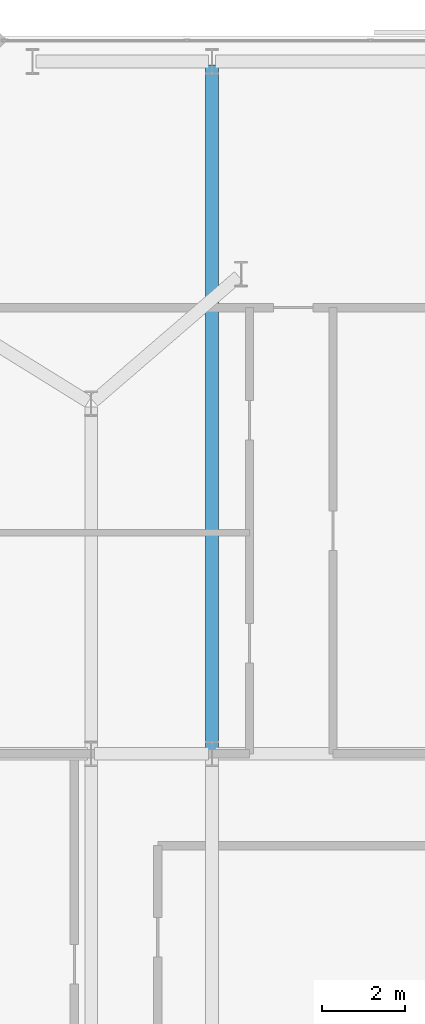
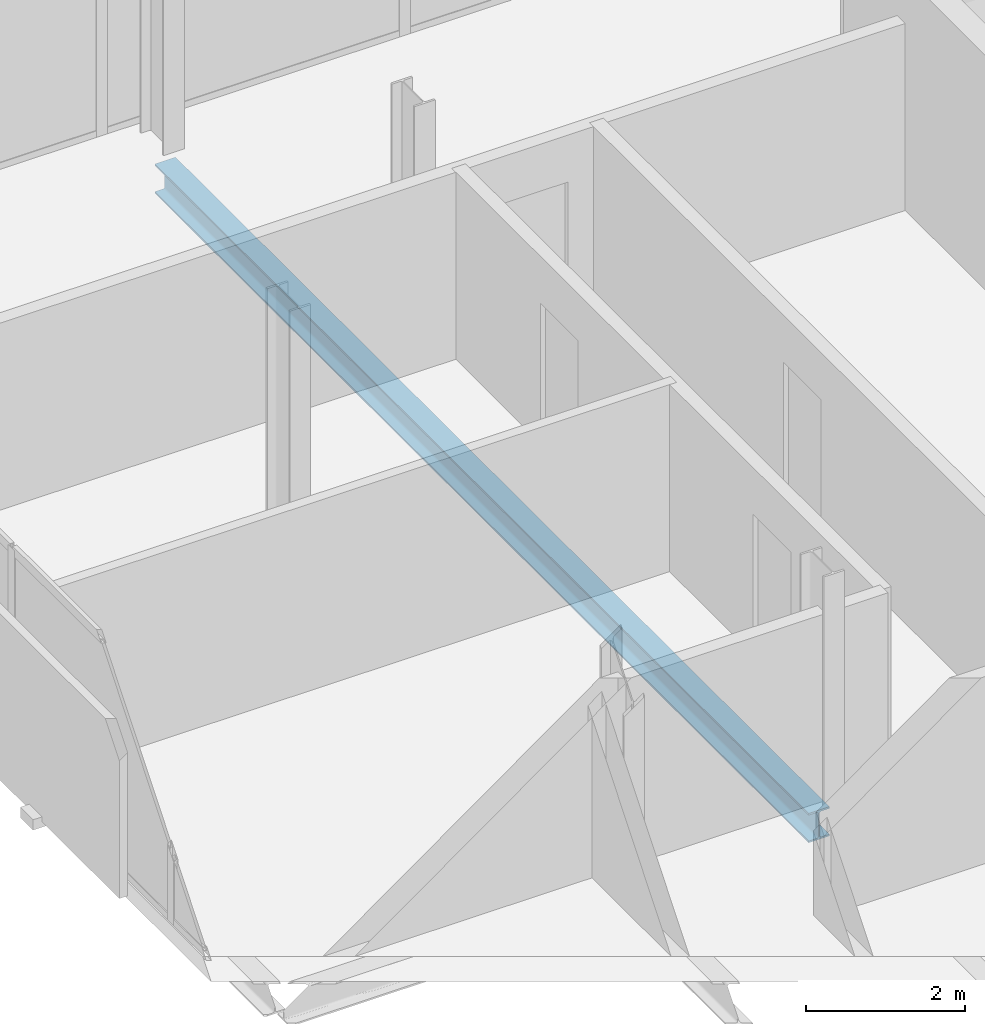
# One storey, part 18 of 32: 1 beam.
"""IFC4 building model written with IfcOpenShell, lengths in metres."""

from ifc_helpers import new_model, si_unit, direction, frame, origin, origin_2d, place, context, subcontext, project, spatial, i_section, extrude, material, material_profile, profile_set, type_object, element, save


model = new_model("IFC4")

# Units and contexts
model_context = context("Model", 3, precision=1e-05, world=origin(), true_north=direction((0.0, 1.0)))
body_context = subcontext(model_context, "Body", "Model", "MODEL_VIEW")
ifc_project = project(units=[si_unit("LENGTHUNIT", "METRE"), si_unit("AREAUNIT", "SQUARE_METRE"), si_unit("VOLUMEUNIT", "CUBIC_METRE"), si_unit("PLANEANGLEUNIT", "RADIAN"), si_unit("MASSUNIT", "GRAM", prefix="KILO")], contexts=[model_context])

# Site, building, storey
site_placement = place(None, origin())
site = spatial("IfcSite", under=ifc_project, at=site_placement, CompositionType="ELEMENT")
building_placement = place(site_placement, origin())
building = spatial("IfcBuilding", under=site, at=building_placement, Name="Catumbela Crestline Tower", CompositionType="ELEMENT")
storey_placement = place(building_placement, frame((0.0, 0.0, 129.6)))
storey = spatial("IfcBuildingStorey", under=building, at=storey_placement, Name="L33", CompositionType="ELEMENT", Elevation=129.6)

# Beam
ifc_material = material(Name="Structural steel S355J2", Category="steel")
ifc_material_profile = material_profile(ifc_material, i_section(OverallWidth=0.3, OverallDepth=0.45, WebThickness=0.014, FlangeThickness=0.026, FilletRadius=0.027, at=origin_2d()), Name="HEB 450")
ifc_profile_set = profile_set([ifc_material_profile], Name="Structural steel S355J2")
beam_type = type_object("IfcBeamType", Name="BG-HEB450", PredefinedType="BEAM", material=ifc_profile_set)
beam_placement = place(storey_placement, frame((8.5, 30.88, -0.485), z_axis=(0.0, 1.0, 0.0), x_axis=(-1.0, 0.0, 0.0)))
element("IfcBeam", 1, at=beam_placement, inside=storey, type_object=beam_type, Name="L33 Beam BM-L33-SN27", PredefinedType="BEAM", context=body_context, shape_type="SweptSolid", body=[
    extrude(i_section(OverallWidth=0.3, OverallDepth=0.45, WebThickness=0.014, FlangeThickness=0.026, FilletRadius=0.027, at=origin_2d()), origin(), (0.0, 0.0, 1.0), 16.44),
])

save(model, "model.ifc")
